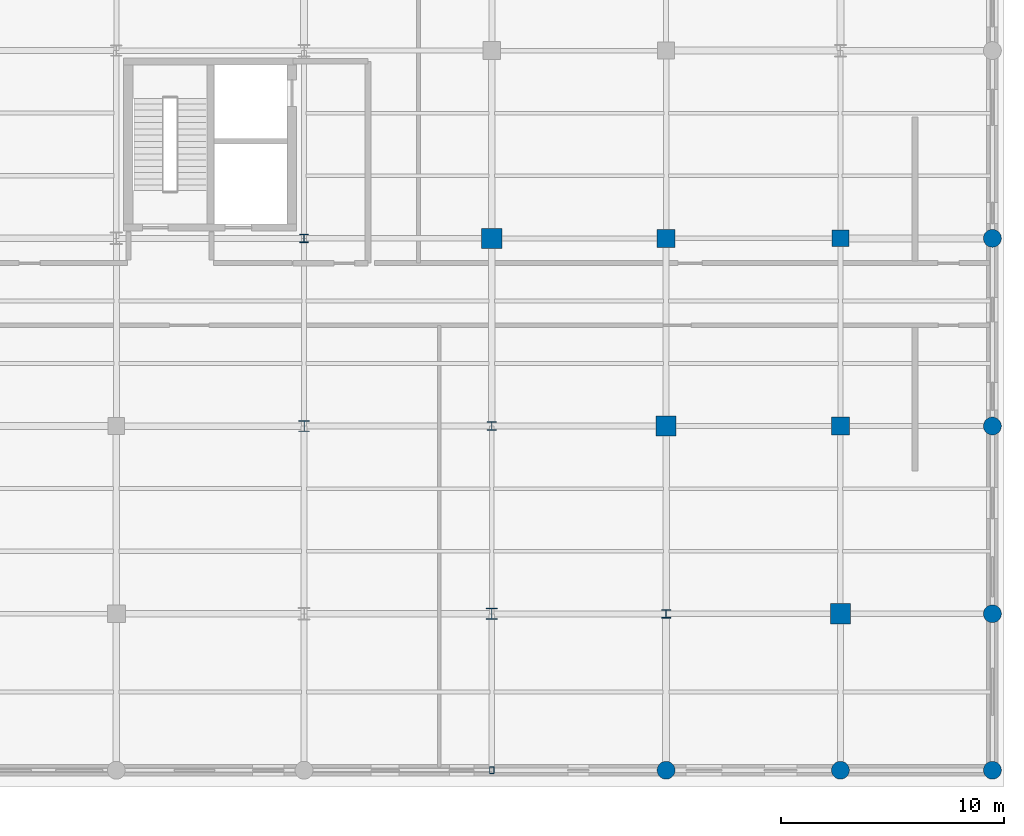
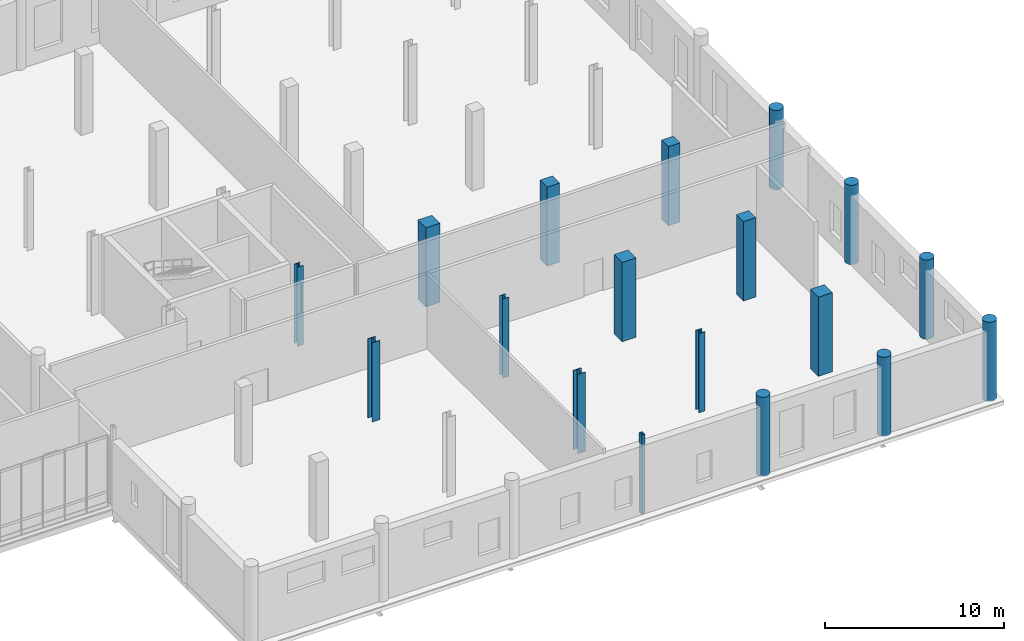
# One storey, part 10 of 128: 18 columns.
"""IFC4 building model written with IfcOpenShell, lengths in metres."""

import ifcopenshell
import ifcopenshell.guid

model = None  # the IFC model being written
_history = None  # IfcOwnerHistory: only IFC2X3 demands one
_inside = {}  # id of a spatial element -> (the spatial element, [elements in it])
_under = {}  # id of a project, library or spatial element -> (it, [spatial elements below it])
_declared = {}  # id of a project -> (the project, [libraries it declares])
_typed = {}  # id of a type object -> (the type object, [elements of that type])
_made_of = {}  # id of a material, layer set ... -> (it, [elements and type objects made of it])


def new_model(schema):
    """Start an empty IFC model of exactly this schema.

    Asked for "IFC4X3", IfcOpenShell would pick the latest addendum, in which some entities
    have other attributes; the version numbers below select the first issue.
    IFC2X3 requires an IfcOwnerHistory on every rooted entity: one is made here for all.
    """
    global model, _history
    if schema == "IFC4X3":
        model = ifcopenshell.file(schema_version=(4, 3, 0, 0))
    else:
        model = ifcopenshell.file(schema=schema)
    _inside.clear()
    _under.clear()
    _declared.clear()
    _typed.clear()
    _made_of.clear()
    _history = None
    if model.schema == "IFC2X3":
        org = make("IfcOrganization", Name="unknown")
        user = make(
            "IfcPersonAndOrganization",
            ThePerson=make("IfcPerson", FamilyName="unknown"),
            TheOrganization=org,
        )
        app = make(
            "IfcApplication",
            ApplicationDeveloper=org,
            Version="unknown",
            ApplicationFullName="unknown",
            ApplicationIdentifier="unknown",
        )
        _history = make(
            "IfcOwnerHistory",
            OwningUser=user,
            OwningApplication=app,
            ChangeAction="ADDED",
            CreationDate=0,
        )
    return model


def make(cls, **values):
    """One entity of the class cls with the attributes given. An attribute that is None is left unset."""
    return model.create_entity(
        cls, **{name: value for name, value in values.items() if value is not None}
    )


def rooted(cls, **values):
    """An entity with a GlobalId (a new one), such as an element, a storey or a relation."""
    return make(cls, GlobalId=ifcopenshell.guid.new(), OwnerHistory=_history, **values)


def si_unit(unit_type, name, prefix=None):
    """IfcSIUnit, for example si_unit("LENGTHUNIT", "METRE", prefix="MILLI")."""
    return make("IfcSIUnit", UnitType=unit_type, Prefix=prefix, Name=name)


def assignment(units):
    """IfcUnitAssignment: the units of a project."""
    return None if units is None else make("IfcUnitAssignment", Units=units)


def point(xyz):
    """IfcCartesianPoint."""
    return None if xyz is None else make("IfcCartesianPoint", Coordinates=xyz)


def direction(xyz):
    """IfcDirection."""
    return None if xyz is None else make("IfcDirection", DirectionRatios=xyz)


def frame(location, z_axis=None, x_axis=None):
    """IfcAxis2Placement3D, a coordinate frame: its origin and axes. An axis left out is left unset."""
    return make(
        "IfcAxis2Placement3D",
        Location=point(location),
        Axis=direction(z_axis),
        RefDirection=direction(x_axis),
    )


def frame_2d(location, x_axis=None):
    """IfcAxis2Placement2D, a coordinate frame in the plane: its origin and x axis."""
    return make(
        "IfcAxis2Placement2D", Location=point(location), RefDirection=direction(x_axis)
    )


def origin_with_axes():
    """The frame at (0, 0, 0) with the z axis (0, 0, 1) and the x axis (1, 0, 0) written out."""
    return frame((0.0, 0.0, 0.0), z_axis=(0.0, 0.0, 1.0), x_axis=(1.0, 0.0, 0.0))


def origin_2d_with_axis():
    """The frame at (0, 0) in the plane with the x axis (1, 0) written out."""
    return frame_2d((0.0, 0.0), x_axis=(1.0, 0.0))


def place(relative_to, where):
    """IfcLocalPlacement: puts the frame where relative to a parent placement (None: the world)."""
    return make(
        "IfcLocalPlacement", PlacementRelTo=relative_to, RelativePlacement=where
    )


def context(
    kind, dimensions, precision=None, world=None, true_north=None, identifier=None
):
    """IfcGeometricRepresentationContext, for example the 3D "Model" context."""
    return make(
        "IfcGeometricRepresentationContext",
        ContextIdentifier=identifier,
        ContextType=kind,
        CoordinateSpaceDimension=dimensions,
        Precision=precision,
        WorldCoordinateSystem=world,
        TrueNorth=true_north,
    )


def subcontext(parent, identifier, kind, view, scale=None):
    """IfcGeometricRepresentationSubContext, for example "Body" below "Model"."""
    return make(
        "IfcGeometricRepresentationSubContext",
        ContextIdentifier=identifier,
        ContextType=kind,
        ParentContext=parent,
        TargetScale=scale,
        TargetView=view,
    )


def project(units=None, contexts=None):
    """IfcProject with its units and contexts."""
    return rooted(
        "IfcProject",
        Name="project",
        RepresentationContexts=contexts,
        UnitsInContext=assignment(units),
    )


def spatial(cls, under=None, at=None, **own):
    """A site, building, storey or space (cls), placed at a placement, below another one or the project."""
    s = rooted(cls, ObjectPlacement=at, **own)
    if under is not None:
        _under.setdefault(under.id(), (under, []))[1].append(s)
    return s


def profile(cls, at=None, kind="AREA", **sizes):
    """A parametric profile (cls). Its sizes go by their IFC names, for example OverallWidth=200.0."""
    return make(cls, ProfileType=kind, Position=at, **sizes)


def rectangle(**sizes):
    """IfcRectangleProfileDef."""
    return profile("IfcRectangleProfileDef", **sizes)


def hollow_rectangle(**sizes):
    """IfcRectangleHollowProfileDef."""
    return profile("IfcRectangleHollowProfileDef", **sizes)


def circle(**sizes):
    """IfcCircleProfileDef."""
    return profile("IfcCircleProfileDef", **sizes)


def i_section(**sizes):
    """IfcIShapeProfileDef."""
    return profile("IfcIShapeProfileDef", **sizes)


def extrude(swept, where, along, depth):
    """IfcExtrudedAreaSolid: the profile swept, set in the frame where, extruded along a direction by depth."""
    return make(
        "IfcExtrudedAreaSolid",
        SweptArea=swept,
        Position=where,
        ExtrudedDirection=direction(along),
        Depth=depth,
    )


def shape(context_of_items, identifier, shape_type, items):
    """IfcShapeRepresentation: the items that make up one representation, for example the "Body"."""
    return make(
        "IfcShapeRepresentation",
        ContextOfItems=context_of_items,
        RepresentationIdentifier=identifier,
        RepresentationType=shape_type,
        Items=items,
    )


def material(Name=None, Category=None):
    """IfcMaterial."""
    return make("IfcMaterial", Name=Name, Category=Category)


def material_profile(
    of_material, cross_section, Name=None, Category=None, Priority=None
):
    """IfcMaterialProfile: a cross section and its material."""
    return make(
        "IfcMaterialProfile",
        Name=Name,
        Material=of_material,
        Profile=cross_section,
        Priority=Priority,
        Category=Category,
    )


def profile_set(profiles, Name=None, composite=None):
    """IfcMaterialProfileSet."""
    return make(
        "IfcMaterialProfileSet",
        Name=Name,
        MaterialProfiles=profiles,
        CompositeProfile=composite,
    )


def made_of(thing, what):
    """Note that an element or type object is made of a material, layer set ...; save() writes the relation."""
    if what is not None:
        _made_of.setdefault(what.id(), (what, []))[1].append(thing)
    return thing


def type_object(cls, material=None, **own):
    """A type object (cls), such as IfcWallType, which elements share."""
    return made_of(rooted(cls, **own), material)


def element(
    cls,
    number,
    at=None,
    inside=None,
    cuts=None,
    type_object=None,
    material=None,
    context=None,
    identifier="Body",
    shape_type=None,
    held_by="IfcProductDefinitionShape",
    body=None,
    shapes=None,
    **own,
):
    """One element of the class cls, such as IfcWall. Its Tag is "e" and its number.

    at: its placement. inside: the storey or other place that contains it. cuts: it is an
    opening in that element (IfcRelVoidsElement). A single representation is given by context,
    identifier, shape_type and body (its items); several are given by shapes. held_by: the class
    of the entity that holds the representations. save() writes the other relations.
    """
    e = rooted(cls, Tag="e%d" % number, ObjectPlacement=at, **own)
    if body is not None:
        shapes = [shape(context, identifier, shape_type, body)]
    if shapes is not None:
        e.Representation = make(held_by, Representations=shapes)
    if inside is not None:
        _inside.setdefault(inside.id(), (inside, []))[1].append(e)
    if cuts is not None:
        rooted(
            "IfcRelVoidsElement", RelatingBuildingElement=cuts, RelatedOpeningElement=e
        )
    if type_object is not None:
        _typed.setdefault(type_object.id(), (type_object, []))[1].append(e)
    return made_of(e, material)


def aggregate(whole, parts):
    """IfcRelAggregates: a whole, such as a stair, and the parts it consists of."""
    return rooted("IfcRelAggregates", RelatingObject=whole, RelatedObjects=parts)


def save(model, path):
    """Write the relations noted so far, then the file.

    IfcRelAggregates (storeys below a building ...), IfcRelContainedInSpatialStructure (elements
    in a storey), IfcRelDefinesByType, IfcRelAssociatesMaterial and IfcRelDeclares: one each for
    every whole, place, type object, material and project.
    """
    for whole, parts in _under.values():
        aggregate(whole, parts)
    for where, things in _inside.values():
        rooted(
            "IfcRelContainedInSpatialStructure",
            RelatedElements=things,
            RelatingStructure=where,
        )
    for kind, things in _typed.values():
        rooted("IfcRelDefinesByType", RelatedObjects=things, RelatingType=kind)
    for what, things in _made_of.values():
        rooted("IfcRelAssociatesMaterial", RelatedObjects=things, RelatingMaterial=what)
    for by, libraries in _declared.values():
        rooted("IfcRelDeclares", RelatingContext=by, RelatedDefinitions=libraries)
    model.write(path)


model = new_model("IFC4")

# Units and contexts
model_context = context("Model", 3, precision=1e-05, world=origin_with_axes(), true_north=direction((0.0, 1.0)))
body_context = subcontext(model_context, "Body", "Model", "MODEL_VIEW")
ifc_project = project(units=[si_unit("LENGTHUNIT", "METRE"), si_unit("AREAUNIT", "SQUARE_METRE"), si_unit("VOLUMEUNIT", "CUBIC_METRE"), si_unit("PLANEANGLEUNIT", "RADIAN"), si_unit("MASSUNIT", "GRAM", prefix="KILO"), si_unit("THERMODYNAMICTEMPERATUREUNIT", "KELVIN")], contexts=[model_context])

# Site, building, storey
site_placement = place(None, origin_with_axes())
site = spatial("IfcSite", under=ifc_project, at=site_placement, CompositionType="ELEMENT")
building_placement = place(site_placement, origin_with_axes())
building = spatial("IfcBuilding", under=site, at=building_placement, Name="Montbau Bow Law Courts", CompositionType="ELEMENT")
storey_placement = place(building_placement, frame((0.0, 0.0, 5.4), z_axis=(0.0, 0.0, 1.0), x_axis=(1.0, 0.0, 0.0)))
storey = spatial("IfcBuildingStorey", under=building, at=storey_placement, Name="L01", CompositionType="ELEMENT", Elevation=5.4)

# Columns
ifc_material_1 = material(Name="Steel CSA G40.21 Grade 350WT (350 MPa)", Category="steel")
ifc_material_profile_1 = material_profile(ifc_material_1, hollow_rectangle(XDim=0.203, YDim=0.305, WallThickness=0.0127, InnerFilletRadius=0.0254, OuterFilletRadius=0.0127, at=origin_2d_with_axis()), Name="HSS305X203X13", Category="Main", Priority=0)
ifc_profile_set_1 = profile_set([ifc_material_profile_1], Name="Steel CSA G40.21 Grade 350WT (350 MPa)")
column_type_1 = type_object("IfcColumnType", Name="C-HSS-03", PredefinedType="COLUMN", material=ifc_profile_set_1)
column_1_placement = place(None, frame((147.0, 6.8, 5.4), z_axis=(0.0, 0.0, 1.0), x_axis=(1.0, 0.0, 0.0)))
element("IfcColumn", 1, at=column_1_placement, inside=storey, type_object=column_type_1, Name="C-L01-S0468:col2_0468", PredefinedType="COLUMN", context=body_context, shape_type="SweptSolid", body=[
    extrude(hollow_rectangle(XDim=0.203, YDim=0.305, WallThickness=0.0127, InnerFilletRadius=0.0254, OuterFilletRadius=0.0127, at=origin_2d_with_axis()), origin_with_axes(), (0.0, 0.0, 1.0), 5.4),
])
ifc_material_2 = material(Name="Concrete CSA A23.1 f'c 45 MPa", Category="concrete")
ifc_material_profile_2 = material_profile(ifc_material_2, rectangle(XDim=0.9, YDim=0.9, at=origin_2d_with_axis()), Name="RC900X900", Category="Main", Priority=0)
ifc_profile_set_2 = profile_set([ifc_material_profile_2], Name="Concrete CSA A23.1 f'c 45 MPa")
column_type_2 = type_object("IfcColumnType", Name="C-RC-01", PredefinedType="COLUMN", material=ifc_profile_set_2)
for number, where, z_axis, x_axis, name in (
    (2, (147.0, 30.6, 5.4), (0.0, 0.0, 1.0), (1.0, 0.0, 0.0), "C-L01-S0471:col2_0471"),
    (3, (154.8, 22.2, 5.4), (0.0, 0.0, 1.0), (1.0, 0.0, 0.0), "C-L01-S0483:col2_0483"),
    (4, (162.6, 13.8, 5.4), (0.0, 0.0, 1.0), (1.0, 0.0, 0.0), "C-L01-S0495:col2_0495"),
):
    element("IfcColumn", number, at=place(None, frame(where, z_axis=z_axis, x_axis=x_axis)), inside=storey, type_object=column_type_2, Name=name, PredefinedType="COLUMN", context=body_context, shape_type="SweptSolid", body=[
        extrude(rectangle(XDim=0.9, YDim=0.9, at=origin_2d_with_axis()), origin_with_axes(), (0.0, 0.0, 1.0), 5.4),
    ])
ifc_material_profile_3 = material_profile(ifc_material_2, rectangle(XDim=0.8, YDim=0.8, at=origin_2d_with_axis()), Name="RC800X800", Category="Main", Priority=0)
ifc_profile_set_3 = profile_set([ifc_material_profile_3], Name="Concrete CSA A23.1 f'c 45 MPa")
column_type_3 = type_object("IfcColumnType", Name="C-RC-02", PredefinedType="COLUMN", material=ifc_profile_set_3)
for number, where, z_axis, x_axis, name in (
    (5, (154.8, 30.6, 5.4), (0.0, 0.0, 1.0), (1.0, 0.0, 0.0), "C-L01-S0484:col2_0484"),
    (6, (162.6, 22.2, 5.4), (0.0, 0.0, 1.0), (1.0, 0.0, 0.0), "C-L01-S0496:col2_0496"),
):
    element("IfcColumn", number, at=place(None, frame(where, z_axis=z_axis, x_axis=x_axis)), inside=storey, type_object=column_type_3, Name=name, PredefinedType="COLUMN", context=body_context, shape_type="SweptSolid", body=[
        extrude(rectangle(XDim=0.8, YDim=0.8, at=origin_2d_with_axis()), origin_with_axes(), (0.0, 0.0, 1.0), 5.4),
    ])
ifc_material_3 = material(Name="Concrete CSA A23.1 f'c 40 MPa", Category="concrete")
ifc_material_profile_4 = material_profile(ifc_material_3, rectangle(XDim=0.75, YDim=0.75, at=origin_2d_with_axis()), Name="RC750X750", Category="Main", Priority=0)
ifc_profile_set_4 = profile_set([ifc_material_profile_4], Name="Concrete CSA A23.1 f'c 40 MPa")
column_type_4 = type_object("IfcColumnType", Name="C-RC-03", PredefinedType="COLUMN", material=ifc_profile_set_4)
column_2_placement = place(None, frame((162.6, 30.6, 5.4), z_axis=(0.0, 0.0, 1.0), x_axis=(1.0, 0.0, 0.0)))
element("IfcColumn", 7, at=column_2_placement, inside=storey, type_object=column_type_4, Name="C-L01-S0497:col2_0497", PredefinedType="COLUMN", context=body_context, shape_type="SweptSolid", body=[
    extrude(rectangle(XDim=0.75, YDim=0.75, at=origin_2d_with_axis()), origin_with_axes(), (0.0, 0.0, 1.0), 5.4),
])
ifc_material_profile_5 = material_profile(ifc_material_3, circle(Radius=0.4, at=origin_2d_with_axis()), Name="RC800D", Category="Main", Priority=0)
ifc_profile_set_5 = profile_set([ifc_material_profile_5], Name="Concrete CSA A23.1 f'c 40 MPa")
column_type_5 = type_object("IfcColumnType", Name="C-RC-07", PredefinedType="COLUMN", material=ifc_profile_set_5)
for number, where, z_axis, x_axis, name in (
    (8, (154.8, 6.8, 5.4), (0.0, 0.0, 1.0), (1.0, 0.0, 0.0), "C-L01-S0481:col2_0481"),
    (9, (162.6, 6.8, 5.4), (0.0, 0.0, 1.0), (1.0, 0.0, 0.0), "C-L01-S0494:col2_0494"),
    (10, (169.4, 6.8, 5.4), (0.0, 0.0, 1.0), (1.0, 0.0, 0.0), "C-L01-S0507:col2_0507"),
    (11, (169.4, 13.8, 5.4), (0.0, 0.0, 1.0), (1.0, 0.0, 0.0), "C-L01-S0508:col2_0508"),
    (12, (169.4, 22.2, 5.4), (0.0, 0.0, 1.0), (1.0, 0.0, 0.0), "C-L01-S0509:col2_0509"),
    (13, (169.4, 30.6, 5.4), (0.0, 0.0, 1.0), (1.0, 0.0, 0.0), "C-L01-S0510:col2_0510"),
):
    element("IfcColumn", number, at=place(None, frame(where, z_axis=z_axis, x_axis=x_axis)), inside=storey, type_object=column_type_5, Name=name, PredefinedType="COLUMN", context=body_context, shape_type="SweptSolid", body=[
        extrude(circle(Radius=0.4, at=origin_2d_with_axis()), origin_with_axes(), (0.0, 0.0, 1.0), 5.4),
    ])
ifc_material_4 = material(Name="Steel CSA G40.21 Grade 350W (350 MPa)", Category="steel")
ifc_material_profile_6 = material_profile(ifc_material_4, i_section(OverallWidth=0.5, OverallDepth=0.5, WebThickness=0.022, FlangeThickness=0.036, at=origin_2d_with_axis()), Name="WWF500X343", Category="Main", Priority=0)
ifc_profile_set_6 = profile_set([ifc_material_profile_6], Name="Steel CSA G40.21 Grade 350W (350 MPa)")
column_type_6 = type_object("IfcColumnType", Name="C-STL-02", PredefinedType="COLUMN", material=ifc_profile_set_6)
for number, where, z_axis, x_axis, name in (
    (14, (138.6, 22.2, 5.4), (0.0, 0.0, 1.0), (1.0, 0.0, 0.0), "C-L01-S0457:col2_0457"),
    (15, (147.0, 13.8, 5.4), (0.0, 0.0, 1.0), (1.0, 0.0, 0.0), "C-L01-S0469:col2_0469"),
):
    element("IfcColumn", number, at=place(None, frame(where, z_axis=z_axis, x_axis=x_axis)), inside=storey, type_object=column_type_6, Name=name, PredefinedType="COLUMN", context=body_context, shape_type="SweptSolid", body=[
        extrude(i_section(OverallWidth=0.5, OverallDepth=0.5, WebThickness=0.022, FlangeThickness=0.036, at=origin_2d_with_axis()), origin_with_axes(), (0.0, 0.0, 1.0), 5.4),
    ])
ifc_material_profile_7 = material_profile(ifc_material_4, i_section(OverallWidth=0.395, OverallDepth=0.38, WebThickness=0.0189, FlangeThickness=0.0302, at=origin_2d_with_axis()), Name="W360X237", Category="Main", Priority=0)
ifc_profile_set_7 = profile_set([ifc_material_profile_7], Name="Steel CSA G40.21 Grade 350W (350 MPa)")
column_type_7 = type_object("IfcColumnType", Name="C-STL-03", PredefinedType="COLUMN", material=ifc_profile_set_7)
for number, where, z_axis, x_axis, name in (
    (16, (138.6, 30.6, 5.4), (0.0, 0.0, 1.0), (1.0, 0.0, 0.0), "C-L01-S0458:col2_0458"),
    (17, (147.0, 22.2, 5.4), (0.0, 0.0, 1.0), (1.0, 0.0, 0.0), "C-L01-S0470:col2_0470"),
    (18, (154.8, 13.8, 5.4), (0.0, 0.0, 1.0), (1.0, 0.0, 0.0), "C-L01-S0482:col2_0482"),
):
    element("IfcColumn", number, at=place(None, frame(where, z_axis=z_axis, x_axis=x_axis)), inside=storey, type_object=column_type_7, Name=name, PredefinedType="COLUMN", context=body_context, shape_type="SweptSolid", body=[
        extrude(i_section(OverallWidth=0.395, OverallDepth=0.38, WebThickness=0.0189, FlangeThickness=0.0302, at=origin_2d_with_axis()), origin_with_axes(), (0.0, 0.0, 1.0), 5.4),
    ])

save(model, "model.ifc")
